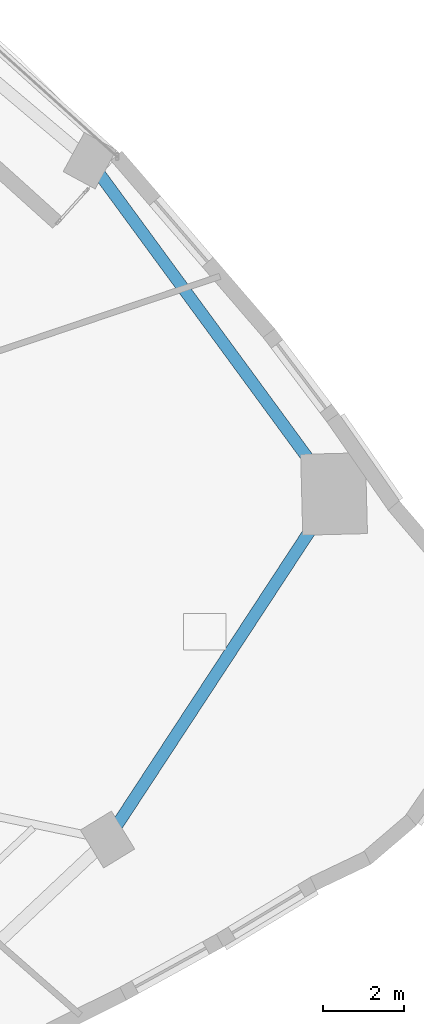
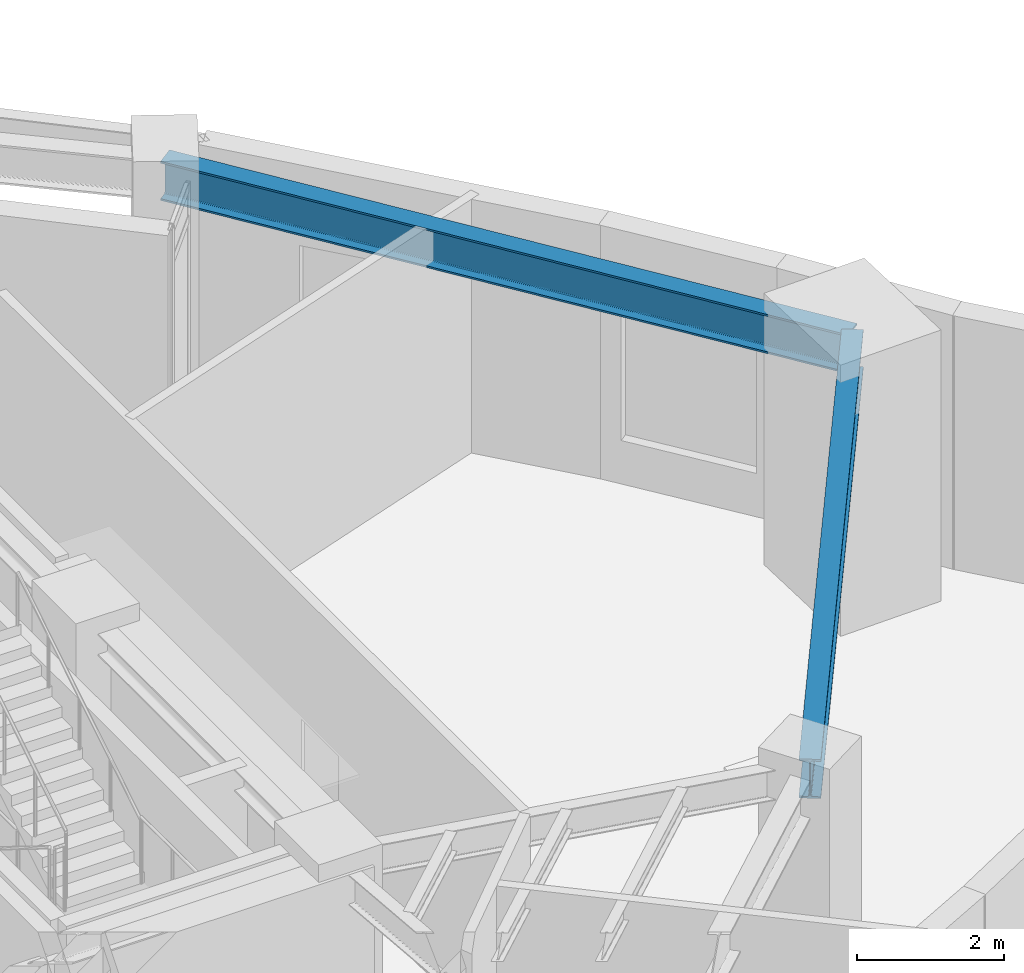
# One storey, part 7 of 19: 2 beams.
"""IFC4 building model written with IfcOpenShell, lengths in metres."""

from ifc_helpers import new_model, si_unit, direction, frame, origin, origin_2d, place, context, subcontext, project, spatial, i_section, extrude, material, material_profile, profile_set, type_object, element, save


model = new_model("IFC4")

# Units and contexts
model_context = context("Model", 3, precision=1e-05, world=origin(), true_north=direction((0.0, 1.0)))
body_context = subcontext(model_context, "Body", "Model", "MODEL_VIEW")
ifc_project = project(units=[si_unit("LENGTHUNIT", "METRE"), si_unit("AREAUNIT", "SQUARE_METRE"), si_unit("VOLUMEUNIT", "CUBIC_METRE"), si_unit("PLANEANGLEUNIT", "RADIAN"), si_unit("MASSUNIT", "GRAM", prefix="KILO")], contexts=[model_context])

# Site, building, storey
site_placement = place(None, origin())
site = spatial("IfcSite", under=ifc_project, at=site_placement, CompositionType="ELEMENT")
building_placement = place(site_placement, origin())
building = spatial("IfcBuilding", under=site, at=building_placement, Name="Ndelora Gate Hotel", CompositionType="ELEMENT")
storey_placement = place(building_placement, frame((0.0, 0.0, 88.25)))
storey = spatial("IfcBuildingStorey", under=building, at=storey_placement, Name="L21", CompositionType="ELEMENT", Elevation=88.25)

# Beams
ifc_material = material(Name="Steel S355", Category="steel")
ifc_material_profile = material_profile(ifc_material, i_section(OverallWidth=0.300048828125, OverallDepth=0.64990234375, WebThickness=0.01611328125, FlangeThickness=0.031005859375, FilletRadius=0.027099609375, at=origin_2d()), Name="HEB 650")
ifc_profile_set = profile_set([ifc_material_profile], Name="Steel S355")
beam_type = type_object("IfcBeamType", Name="BM-RING-650", PredefinedType="SPANDREL", material=ifc_profile_set)
for number, where, z_axis, x_axis, name in (
    (1, (14.74658203125, -8.006591796875, 3.885009765625), (0.548194123818, 0.836351123998, 0.0), (-0.836351123998, 0.548194123818, 0.0), "L21 Perimeter Spandrel Girder 8"),
    (2, (20.34375, 0.53271484375, 3.885009765625), (-0.591229932094, 0.806503048597, 0.0), (-0.806503048597, -0.591229932094, 0.0), "L21 Perimeter Spandrel Girder 9"),
):
    element("IfcBeam", number, at=place(storey_placement, frame(where, z_axis=z_axis, x_axis=x_axis)), inside=storey, type_object=beam_type, Name=name, PredefinedType="SPANDREL", context=body_context, shape_type="SweptSolid", body=[
        extrude(i_section(OverallWidth=0.300048828125, OverallDepth=0.64990234375, WebThickness=0.01611328125, FlangeThickness=0.031005859375, FilletRadius=0.027099609375, at=origin_2d()), origin(), (0.0, 0.0, 1.0), 10.210205078125),
    ])

save(model, "model.ifc")
